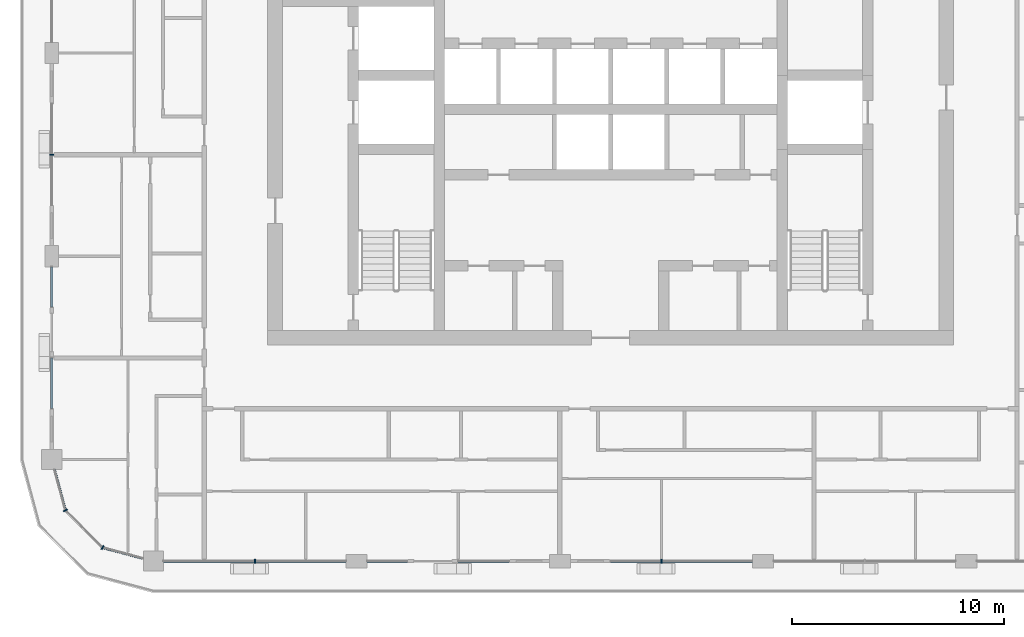
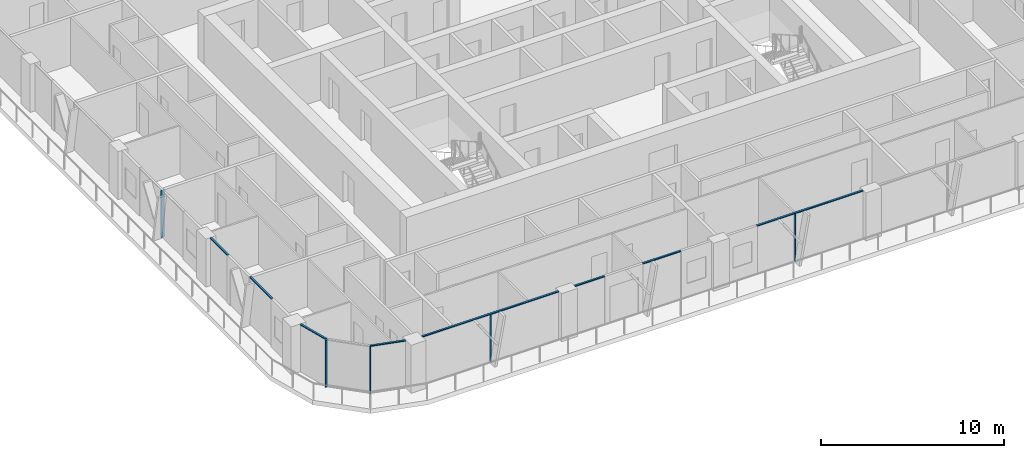
# One storey, part 2 of 23: 13 members, 6 elements without a shape of their own.
"""IFC4 building model written with IfcOpenShell, lengths in metres."""

from ifc_helpers import new_model, si_unit, direction, frame, origin, origin_2d, place, context, subcontext, project, spatial, rectangle, extrude, material, layer, layer_set, material_profile, profile_set, type_object, element, aggregate, save


model = new_model("IFC4")

# Units and contexts
model_context = context("Model", 3, precision=1e-05, world=origin(), true_north=direction((0.0, 1.0)))
body_context = subcontext(model_context, "Body", "Model", "MODEL_VIEW")
ifc_project = project(units=[si_unit("LENGTHUNIT", "METRE"), si_unit("AREAUNIT", "SQUARE_METRE"), si_unit("VOLUMEUNIT", "CUBIC_METRE"), si_unit("PLANEANGLEUNIT", "RADIAN"), si_unit("MASSUNIT", "GRAM", prefix="KILO")], contexts=[model_context])

# Site, building, storey
site_placement = place(None, origin())
site = spatial("IfcSite", under=ifc_project, at=site_placement, CompositionType="ELEMENT")
building_placement = place(site_placement, origin())
building = spatial("IfcBuilding", under=site, at=building_placement, Name="Madar Terraces", CompositionType="ELEMENT")
storey_placement = place(building_placement, frame((0.0, 0.0, 215.800048828125)))
storey = spatial("IfcBuildingStorey", under=building, at=storey_placement, Name="L56", CompositionType="ELEMENT", Elevation=215.800048828125)

# Curtain wall, member
ifc_material_1 = material(Name="Glass, ceramic frit dark grey, with black aluminium frame", Category="aluminium")
ifc_layer = layer(ifc_material_1, 0.199951171875)
ifc_layer_set = layer_set([ifc_layer], Name="Facade curtain wall, fritted glass")
curtain_wall_type = type_object("IfcCurtainWallType", Name="Facade curtain wall, fritted glass", PredefinedType="NOTDEFINED", material=ifc_layer_set)
curtain_wall_1_placement = place(storey_placement, origin())
curtain_wall_1 = element("IfcCurtainWall", 1, at=curtain_wall_1_placement, inside=storey, type_object=curtain_wall_type, Name="Outer skin curtain wall south bay 1", PredefinedType="NOTDEFINED")
ifc_material_2 = material(Name="Aluminium, black anodised", Category="aluminium")
ifc_material_profile_1 = material_profile(ifc_material_2, rectangle(XDim=0.199951171875, YDim=0.06005859375, at=origin_2d()), Name="Facade mullion 60x200")
ifc_profile_set_1 = profile_set([ifc_material_profile_1], Name="Aluminium, black anodised")
member_type_1 = type_object("IfcMemberType", Name="Facade mullion 60x200", PredefinedType="MULLION", material=ifc_profile_set_1)
member_1_placement = place(storey_placement, frame((14.39990234375, 4.800048828125, 0.0), z_axis=(0.0, 0.0, 1.0), x_axis=(0.0, 1.0, 0.0)))
member_1 = element("IfcMember", 2, at=member_1_placement, type_object=member_type_1, Name="Mullion 1", PredefinedType="MULLION", context=body_context, shape_type="SweptSolid", body=[
    extrude(rectangle(XDim=0.199951171875, YDim=0.06005859375, at=origin_2d()), origin(), (0.0, 0.0, 1.0), 3.139892578125),
])

curtain_wall_2_placement = place(storey_placement, origin())
curtain_wall_2 = element("IfcCurtainWall", 3, at=curtain_wall_2_placement, inside=storey, type_object=curtain_wall_type, Name="Outer skin curtain wall south bay 3", PredefinedType="NOTDEFINED")
member_2_placement = place(storey_placement, frame((33.60009765625, 4.800048828125, 0.0), z_axis=(0.0, 0.0, 1.0), x_axis=(0.0, 1.0, 0.0)))
member_2 = element("IfcMember", 4, at=member_2_placement, type_object=member_type_1, Name="Mullion 1", PredefinedType="MULLION", context=body_context, shape_type="SweptSolid", body=[
    extrude(rectangle(XDim=0.199951171875, YDim=0.06005859375, at=origin_2d()), origin(), (0.0, 0.0, 1.0), 3.139892578125),
])

curtain_wall_3_placement = place(storey_placement, origin())
curtain_wall_3 = element("IfcCurtainWall", 5, at=curtain_wall_3_placement, inside=storey, type_object=curtain_wall_type, Name="Outer skin curtain wall west bay 3", PredefinedType="NOTDEFINED")
member_3_placement = place(storey_placement, frame((4.800048828125, 24.0, 0.0), z_axis=(0.0, 0.0, 1.0), x_axis=(1.0, 0.0, 0.0)))
member_3 = element("IfcMember", 6, at=member_3_placement, type_object=member_type_1, Name="Mullion 1", PredefinedType="MULLION", context=body_context, shape_type="SweptSolid", body=[
    extrude(rectangle(XDim=0.199951171875, YDim=0.06005859375, at=origin_2d()), origin(), (0.0, 0.0, 1.0), 3.139892578125),
])
aggregate(curtain_wall_3, [member_3])

# Curtain wall, members
curtain_wall_4_placement = place(storey_placement, origin())
curtain_wall_4 = element("IfcCurtainWall", 7, at=curtain_wall_4_placement, inside=storey, type_object=curtain_wall_type, Name="Outer skin curtain wall south-west corner", PredefinedType="NOTDEFINED")
member_4_placement = place(storey_placement, frame((5.443115234375, 7.199951171875, 0.0), z_axis=(0.0, 0.0, 1.0), x_axis=(0.866025409797, 0.499999989586, 0.0)))
member_4 = element("IfcMember", 8, at=member_4_placement, type_object=member_type_1, Name="Mullion 1", PredefinedType="MULLION", context=body_context, shape_type="SweptSolid", body=[
    extrude(rectangle(XDim=0.199951171875, YDim=0.06005859375, at=origin_2d()), origin(), (0.0, 0.0, 1.0), 3.139892578125),
])
member_5_placement = place(storey_placement, frame((7.199951171875, 5.443115234375, 0.0), z_axis=(0.0, 0.0, 1.0), x_axis=(0.499999989586, 0.866025409797, 0.0)))
member_5 = element("IfcMember", 9, at=member_5_placement, type_object=member_type_1, Name="Mullion 2", PredefinedType="MULLION", context=body_context, shape_type="SweptSolid", body=[
    extrude(rectangle(XDim=0.199951171875, YDim=0.06005859375, at=origin_2d()), origin(), (0.0, 0.0, 1.0), 3.139892578125),
])

# Member
ifc_material_3 = material(Name="Aluminium, black anodised", Category="aluminium")
ifc_material_profile_2 = material_profile(ifc_material_3, rectangle(XDim=0.1201171875, YDim=0.06005859375, at=origin_2d()), Name="Facade transom 60x120")
ifc_profile_set_2 = profile_set([ifc_material_profile_2], Name="Aluminium, black anodised")
member_type_2 = type_object("IfcMemberType", Name="Facade transom 60x120", PredefinedType="USERDEFINED", material=ifc_profile_set_2)
member_6_placement = place(storey_placement, frame((10.074951171875, 4.800048828125, 3.169921875), z_axis=(1.0, 0.0, 0.0), x_axis=(0.0, 1.0, 0.0)))
member_6 = element("IfcMember", 10, at=member_6_placement, type_object=member_type_2, Name="Transom 1", ObjectType="TRANSOM", PredefinedType="USERDEFINED", context=body_context, shape_type="SweptSolid", body=[
    extrude(rectangle(XDim=0.1201171875, YDim=0.06005859375, at=origin_2d()), origin(), (0.0, 0.0, 1.0), 8.625),
])

aggregate(curtain_wall_1, [member_1, member_6])

# Curtain wall, members
curtain_wall_5_placement = place(storey_placement, origin())
curtain_wall_5 = element("IfcCurtainWall", 11, at=curtain_wall_5_placement, inside=storey, type_object=curtain_wall_type, Name="Outer skin curtain wall south bay 2", PredefinedType="NOTDEFINED")
member_7_placement = place(storey_placement, frame((19.699951171875, 4.800048828125, 3.169921875), z_axis=(1.0, 0.0, 0.0), x_axis=(0.0, 1.0, 0.0)))
member_7 = element("IfcMember", 12, at=member_7_placement, type_object=member_type_2, Name="Transom 1", ObjectType="TRANSOM", PredefinedType="USERDEFINED", context=body_context, shape_type="SweptSolid", body=[
    extrude(rectangle(XDim=0.1201171875, YDim=0.06005859375, at=origin_2d()), origin(), (0.0, 0.0, 1.0), 1.900146484375),
])
member_8_placement = place(storey_placement, frame((24.0, 4.800048828125, 3.169921875), z_axis=(1.0, 0.0, 0.0), x_axis=(0.0, 1.0, 0.0)))
member_8 = element("IfcMember", 13, at=member_8_placement, type_object=member_type_2, Name="Transom 2", ObjectType="TRANSOM", PredefinedType="USERDEFINED", context=body_context, shape_type="SweptSolid", body=[
    extrude(rectangle(XDim=0.1201171875, YDim=0.06005859375, at=origin_2d()), origin(), (0.0, 0.0, 1.0), 2.39990234375),
])
aggregate(curtain_wall_5, [member_7, member_8])

# Member
member_9_placement = place(storey_placement, frame((31.199951171875, 4.800048828125, 3.169921875), z_axis=(1.0, 0.0, 0.0), x_axis=(0.0, 1.0, 0.0)))
member_9 = element("IfcMember", 14, at=member_9_placement, type_object=member_type_2, Name="Transom 1", ObjectType="TRANSOM", PredefinedType="USERDEFINED", context=body_context, shape_type="SweptSolid", body=[
    extrude(rectangle(XDim=0.1201171875, YDim=0.06005859375, at=origin_2d()), origin(), (0.0, 0.0, 1.0), 6.699951171875),
])

aggregate(curtain_wall_2, [member_2, member_9])

# Curtain wall, members
curtain_wall_6_placement = place(storey_placement, origin())
curtain_wall_6 = element("IfcCurtainWall", 15, at=curtain_wall_6_placement, inside=storey, type_object=curtain_wall_type, Name="Outer skin curtain wall west bay 4", PredefinedType="NOTDEFINED")
member_10_placement = place(storey_placement, frame((4.800048828125, 18.699951171875, 3.169921875), z_axis=(0.0, -1.0, 0.0), x_axis=(1.0, 0.0, 0.0)))
member_10 = element("IfcMember", 16, at=member_10_placement, type_object=member_type_2, Name="Transom 1", ObjectType="TRANSOM", PredefinedType="USERDEFINED", context=body_context, shape_type="SweptSolid", body=[
    extrude(rectangle(XDim=0.1201171875, YDim=0.06005859375, at=origin_2d()), origin(), (0.0, 0.0, 1.0), 1.89990234375),
])
member_11_placement = place(storey_placement, frame((4.800048828125, 14.39990234375, 3.169921875), z_axis=(0.0, -1.0, 0.0), x_axis=(1.0, 0.0, 0.0)))
member_11 = element("IfcMember", 17, at=member_11_placement, type_object=member_type_2, Name="Transom 2", ObjectType="TRANSOM", PredefinedType="USERDEFINED", context=body_context, shape_type="SweptSolid", body=[
    extrude(rectangle(XDim=0.1201171875, YDim=0.06005859375, at=origin_2d()), origin(), (0.0, 0.0, 1.0), 2.39990234375),
])
aggregate(curtain_wall_6, [member_10, member_11])

# Member
member_12_placement = place(storey_placement, frame((4.92724609375, 9.125, 3.169921875), z_axis=(0.258831412352, -0.96592251241, 0.0), x_axis=(0.96592251241, 0.258831412352, 0.0)))
member_12 = element("IfcMember", 18, at=member_12_placement, type_object=member_type_2, Name="Transom 1", ObjectType="TRANSOM", PredefinedType="USERDEFINED", context=body_context, shape_type="SweptSolid", body=[
    extrude(rectangle(XDim=0.1201171875, YDim=0.06005859375, at=origin_2d()), origin(), (0.0, 0.0, 1.0), 1.962890625),
])

member_13_placement = place(storey_placement, frame((7.22900390625, 5.435302734375, 3.169921875), z_axis=(0.96592251241, -0.258831412352, 0.0), x_axis=(0.258831412352, 0.96592251241, 0.0)))
member_13 = element("IfcMember", 19, at=member_13_placement, type_object=member_type_2, Name="Transom 3", ObjectType="TRANSOM", PredefinedType="USERDEFINED", context=body_context, shape_type="SweptSolid", body=[
    extrude(rectangle(XDim=0.1201171875, YDim=0.06005859375, at=origin_2d()), origin(), (0.0, 0.0, 1.0), 1.962890625),
])

aggregate(curtain_wall_4, [member_4, member_12, member_5, member_13])

save(model, "model.ifc")
